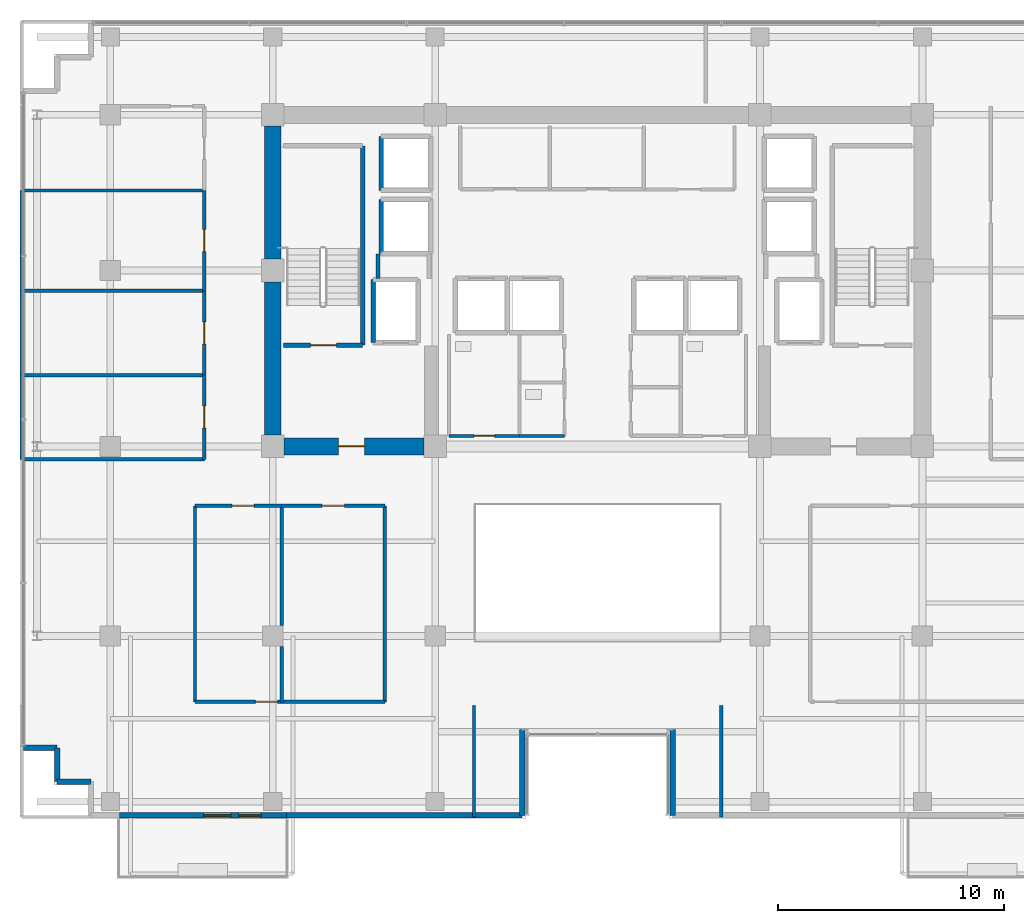
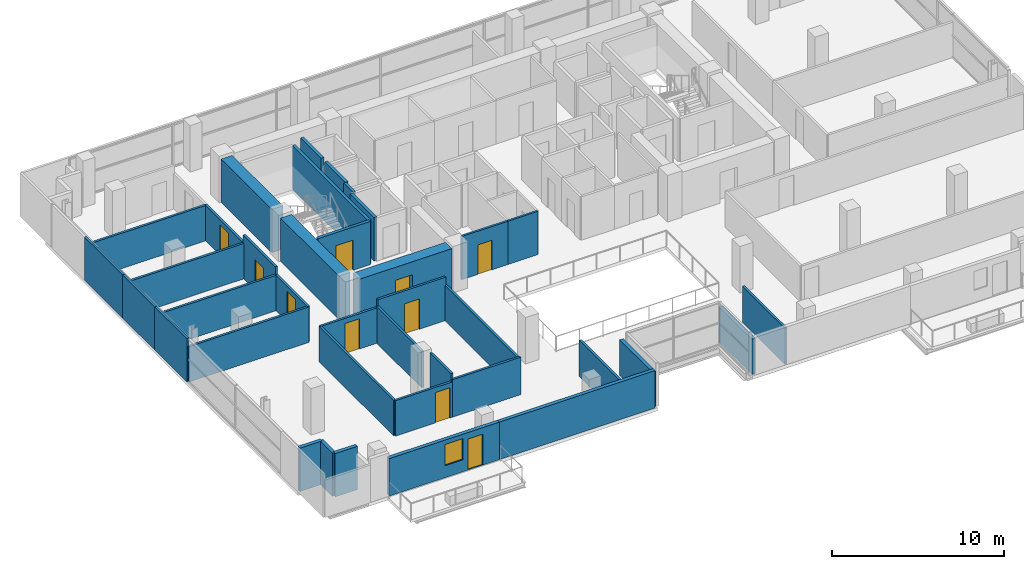
# One storey, part 17 of 24: 38 walls, 10 doors, 1 window, 11 openings.
"""IFC4 building model written with IfcOpenShell, lengths in metres."""

from ifc_helpers import new_model, si_unit, direction, frame, frame_2d, origin, place, context, subcontext, project, spatial, rectangle, extrude, source, transform, mapped, material, layer, layer_set, type_object, element, fill, save


model = new_model("IFC4")

# Units and contexts
model_context = context("Model", 3, precision=1e-05, world=origin(), true_north=direction((0.0, 1.0)))
body_context = subcontext(model_context, "Body", "Model", "MODEL_VIEW")
ifc_project = project(units=[si_unit("LENGTHUNIT", "METRE"), si_unit("AREAUNIT", "SQUARE_METRE"), si_unit("VOLUMEUNIT", "CUBIC_METRE"), si_unit("PLANEANGLEUNIT", "RADIAN"), si_unit("MASSUNIT", "GRAM", prefix="KILO")], contexts=[model_context])

# Site, building, storey
site_placement = place(None, origin())
site = spatial("IfcSite", under=ifc_project, at=site_placement, CompositionType="ELEMENT")
building_placement = place(site_placement, origin())
building = spatial("IfcBuilding", under=site, at=building_placement, Name="Zarnakvel Exchange Tower", CompositionType="ELEMENT")
storey_placement = place(building_placement, frame((0.0, 0.0, 119.800048828125)))
storey = spatial("IfcBuildingStorey", under=building, at=storey_placement, Name="L33", CompositionType="ELEMENT", Elevation=119.800048828125)

# Walls
ifc_material_1 = material(Name="Concrete C60/75", Category="concrete")
ifc_layer_1 = layer(ifc_material_1, 0.75)
ifc_layer_set_1 = layer_set([ifc_layer_1], Name="Concrete C60/75")
wall_type_1 = type_object("IfcWallType", Name="CW-C3", PredefinedType="SHEAR", material=ifc_layer_set_1)
wall_1_placement = place(storey_placement, frame((-14.39990234375, -0.699951171875, 0.0), z_axis=(0.0, 0.0, 1.0), x_axis=(0.0, 1.0, 0.0)))
element("IfcWall", 1, at=wall_1_placement, inside=storey, type_object=wall_type_1, Name="L33 Rear Core Shear Wall W1 (CW-C3)", PredefinedType="SHEAR", context=body_context, shape_type="SweptSolid", body=[
    extrude(rectangle(XDim=6.800048828125, YDim=0.75, at=frame_2d((3.39990234375, 0.0))), origin(), (0.0, 0.0, 1.0), 3.074951171875),
])
wall_2_placement = place(storey_placement, frame((-14.39990234375, 7.10009765625, 0.0), z_axis=(0.0, 0.0, 1.0), x_axis=(0.0, 1.0, 0.0)))
element("IfcWall", 2, at=wall_2_placement, inside=storey, type_object=wall_type_1, Name="L33 Rear Core Shear Wall W2 (CW-C3)", PredefinedType="SHEAR", context=body_context, shape_type="SweptSolid", body=[
    extrude(rectangle(XDim=5.89990234375, YDim=0.75, at=frame_2d((2.949951171875, 0.0))), origin(), (0.0, 0.0, 1.0), 3.074951171875),
])

# Wall, opening, door
wall_3_placement = place(storey_placement, frame((-7.699951171875, -1.199951171875, 0.0), z_axis=(0.0, 0.0, 1.0), x_axis=(-1.0, 0.0, 0.0)))
wall_3 = element("IfcWall", 3, at=wall_3_placement, inside=storey, type_object=wall_type_1, Name="L33 Rear Core Shear Wall SW (CW-C3)", PredefinedType="SHEAR", context=body_context, shape_type="SweptSolid", body=[
    extrude(rectangle(XDim=6.199951171875, YDim=0.75, at=frame_2d((3.10009765625, 0.0))), origin(), (0.0, 0.0, 1.0), 3.074951171875),
])
opening_1_placement = place(wall_3_placement, frame((2.625, 0.0, 0.0)))
opening_1 = element("IfcOpeningElement", 4, at=opening_1_placement, cuts=wall_3, Name="Opening D-L33-03", PredefinedType="OPENING", context=body_context, shape_type="SweptSolid", body=[
    extrude(rectangle(XDim=1.14990234375, YDim=2.14990234375, at=frame_2d((0.574951171875, 1.074951171875))), frame((0.0, 0.385009765625, 0.0), z_axis=(0.0, -1.0, 0.0), x_axis=(1.0, 0.0, 0.0)), (0.0, 0.0, 1.0), 0.77001953125),
])
ifc_material_2 = material(Name="Painted Galvanised Steel S355", Category="steel")
door_type_1 = type_object("IfcDoorType", Name="DT-04", OperationType="NOTDEFINED", PredefinedType="DOOR", material=ifc_material_2)
shared_shape_1 = source(origin(), body_context, "Body", "SweptSolid", [
    extrude(rectangle(XDim=1.14990234375, YDim=2.14990234375, at=frame_2d((0.574951171875, 1.074951171875))), frame((0.0, 0.02490234375, 0.0), z_axis=(0.0, -1.0, 0.0), x_axis=(1.0, 0.0, 0.0)), (0.0, 0.0, 1.0), 0.050048828125),
])
door_1_placement = place(opening_1_placement, origin())
door_1 = element("IfcDoor", 5, at=door_1_placement, inside=storey, type_object=door_type_1, Name="L33 Firefighting Lobby West Door D-L33-03", OperationType="SINGLE_SWING_LEFT", OverallHeight=2.14990234375, OverallWidth=1.14990234375, PredefinedType="DOOR", context=body_context, shape_type="MappedRepresentation", body=[
    mapped(shared_shape_1, transform((0.0, 0.0, 0.0), x_axis=(1.0, 0.0, 0.0), y_axis=(0.0, 1.0, 0.0), z_axis=(0.0, 0.0, 1.0), scale=1.0)),
])
fill(opening_1, door_1)

# Wall, openings, door, window
ifc_material_3 = material(Name="Precast concrete C40/50", Category="concrete")
ifc_layer_2 = layer(ifc_material_3, 0.239990234375)
ifc_layer_set_2 = layer_set([ifc_layer_2], Name="Precast concrete C40/50")
wall_type_2 = type_object("IfcWallType", Name="EW-02", PredefinedType="SOLIDWALL", material=ifc_layer_set_2)
wall_4_placement = place(storey_placement, frame((-13.800048828125, -17.56005859375, 0.0), z_axis=(0.0, 0.0, 1.0), x_axis=(-1.0, 0.0, 0.0)))
wall_4 = element("IfcWall", 6, at=wall_4_placement, inside=storey, type_object=wall_type_2, Name="L33 Exterior Precast Spandrel Wall EW-BAL-L33-SW (EW-02)", PredefinedType="SOLIDWALL", context=body_context, shape_type="SweptSolid", body=[
    extrude(rectangle(XDim=7.39990234375, YDim=0.239990234375, at=frame_2d((3.699951171875, 0.0))), origin(), (0.0, 0.0, 1.0), 2.6650390625),
])
opening_2_placement = place(wall_4_placement, frame((1.110107421875, 0.0, 0.0)))
opening_2 = element("IfcOpeningElement", 7, at=opening_2_placement, cuts=wall_4, Name="Opening BD-L33-01", PredefinedType="OPENING", context=body_context, shape_type="SweptSolid", body=[
    extrude(rectangle(XDim=1.0, YDim=2.199951171875, at=frame_2d((0.5, 1.10009765625))), frame((0.0, 0.1298828125, 0.0), z_axis=(0.0, -1.0, 0.0), x_axis=(1.0, 0.0, 0.0)), (0.0, 0.0, 1.0), 0.260009765625),
])
opening_3_placement = place(wall_4_placement, frame((2.4599609375, 0.0, 0.85009765625)))
opening_3 = element("IfcOpeningElement", 8, at=opening_3_placement, cuts=wall_4, Name="Opening WN-04", PredefinedType="OPENING", context=body_context, shape_type="SweptSolid", body=[
    extrude(rectangle(XDim=1.199951171875, YDim=1.5, at=frame_2d((0.60009765625, 0.75))), frame((0.0, 0.1298828125, 0.0), z_axis=(0.0, -1.0, 0.0), x_axis=(1.0, 0.0, 0.0)), (0.0, 0.0, 1.0), 0.260009765625),
])
ifc_material_4 = material(Name="Architectural Bronze Anodised Aluminium", Category="aluminium")
door_type_2 = type_object("IfcDoorType", Name="DT-09", OperationType="NOTDEFINED", PredefinedType="DOOR", material=ifc_material_4)
shared_shape_2 = source(origin(), body_context, "Body", "SweptSolid", [
    extrude(rectangle(XDim=1.0, YDim=2.199951171875, at=frame_2d((0.5, 1.10009765625))), frame((0.0, 0.02490234375, 0.0), z_axis=(0.0, -1.0, 0.0), x_axis=(1.0, 0.0, 0.0)), (0.0, 0.0, 1.0), 0.050048828125),
])
door_2_placement = place(opening_2_placement, origin())
door_2 = element("IfcDoor", 9, at=door_2_placement, inside=storey, type_object=door_type_2, Name="L33 Planted Loggia Balcony Door BD-L33-01", OperationType="SINGLE_SWING_LEFT", OverallHeight=2.199951171875, OverallWidth=1.0, PredefinedType="DOOR", context=body_context, shape_type="MappedRepresentation", body=[
    mapped(shared_shape_2, transform((0.0, 0.0, 0.0), x_axis=(1.0, 0.0, 0.0), y_axis=(0.0, 1.0, 0.0), z_axis=(0.0, 0.0, 1.0), scale=1.0)),
])
fill(opening_2, door_2)
ifc_material_5 = material(Name="Double Low-E Laminated Vision Glass", Category="glass")
window_type = type_object("IfcWindowType", Name="WN-04", PartitioningType="SINGLE_PANEL", PredefinedType="WINDOW", material=ifc_material_5)
shared_shape_3 = source(origin(), body_context, "Body", "SweptSolid", [
    extrude(rectangle(XDim=1.199951171875, YDim=1.5, at=frame_2d((0.60009765625, 0.75))), frame((0.0, 0.030029296875, 0.0), z_axis=(0.0, -1.0, 0.0), x_axis=(1.0, 0.0, 0.0)), (0.0, 0.0, 1.0), 0.06005859375),
])
window_placement = place(opening_3_placement, origin())
window = element("IfcWindow", 10, at=window_placement, inside=storey, type_object=window_type, Name="L33 Loggia Daylight Window (WN-04)", OverallHeight=1.5, OverallWidth=1.199951171875, PartitioningType="SINGLE_PANEL", PredefinedType="WINDOW", context=body_context, shape_type="MappedRepresentation", body=[
    mapped(shared_shape_3, transform((0.0, 0.0, 0.0), x_axis=(1.0, 0.0, 0.0), y_axis=(0.0, 1.0, 0.0), z_axis=(0.0, 0.0, 1.0), scale=1.0)),
])
fill(opening_3, window)

# Walls
for number, where, z_axis, x_axis, name in (
    (11, (3.340087890625, -13.760009765625, 0.0), (0.0, 0.0, 1.0), (0.0, -1.0, 0.0), "L33 Exterior Precast Spandrel Wall EWC-L33-17 (EW-02)"),
    (12, (-3.340087890625, -17.56005859375, 0.0), (0.0, 0.0, 1.0), (0.0, 1.0, 0.0), "L33 Exterior Precast Spandrel Wall EWC-L33-20 (EW-02)"),
):
    element("IfcWall", number, at=place(storey_placement, frame(where, z_axis=z_axis, x_axis=x_axis)), inside=storey, type_object=wall_type_2, Name=name, PredefinedType="SOLIDWALL", context=body_context, shape_type="SweptSolid", body=[
        extrude(rectangle(XDim=3.800048828125, YDim=0.239990234375, at=frame_2d((1.89990234375, 0.0))), origin(), (0.0, 0.0, 1.0), 2.514892578125),
    ])
wall_5_placement = place(storey_placement, frame((-13.800048828125, -17.56005859375, 0.0), z_axis=(0.0, 0.0, 1.0), x_axis=(1.0, 0.0, 0.0)))
element("IfcWall", 13, at=wall_5_placement, inside=storey, type_object=wall_type_2, Name="L33 Exterior Precast Spandrel Wall EWC-L33-21 (EW-02)", PredefinedType="SOLIDWALL", context=body_context, shape_type="SweptSolid", body=[
    extrude(rectangle(XDim=10.4599609375, YDim=0.239990234375, at=frame_2d((5.22998046875, 0.0))), origin(), (0.0, 0.0, 1.0), 2.6650390625),
])
for number, where, z_axis, x_axis, name in (
    (14, (-23.9599609375, -16.06005859375, 0.0), (0.0, 0.0, 1.0), (1.0, 0.0, 0.0), "L33 Exterior Precast Spandrel Wall EWC-L33-24 (EW-02)"),
    (15, (-23.9599609375, -14.56005859375, 0.0), (0.0, 0.0, 1.0), (0.0, -1.0, 0.0), "L33 Exterior Precast Spandrel Wall EWC-L33-25 (EW-02)"),
    (16, (-25.4599609375, -14.56005859375, 0.0), (0.0, 0.0, 1.0), (1.0, 0.0, 0.0), "L33 Exterior Precast Spandrel Wall EWC-L33-26 (EW-02)"),
):
    element("IfcWall", number, at=place(storey_placement, frame(where, z_axis=z_axis, x_axis=x_axis)), inside=storey, type_object=wall_type_2, Name=name, PredefinedType="SOLIDWALL", context=body_context, shape_type="SweptSolid", body=[
        extrude(rectangle(XDim=1.5, YDim=0.239990234375, at=frame_2d((0.75, 0.0))), origin(), (0.0, 0.0, 1.0), 3.074951171875),
    ])

# Wall, opening, door
ifc_material_6 = material(Name="Fire-Rated Gypsum Stud Partition", Category="gypsum")
ifc_layer_3 = layer(ifc_material_6, 0.14990234375)
ifc_layer_set_3 = layer_set([ifc_layer_3], Name="Fire-Rated Gypsum Stud Partition")
wall_type_3 = type_object("IfcWallType", Name="PT-01", PredefinedType="PARTITIONING", material=ifc_layer_set_3)
wall_6_placement = place(storey_placement, frame((-14.007080078125, -12.52001953125, 0.0), z_axis=(0.0, 0.0, 1.0), x_axis=(-1.0, 0.0, 0.0)))
wall_6 = element("IfcWall", 17, at=wall_6_placement, inside=storey, type_object=wall_type_3, Name="L33 Partition Wall PWALL-L33-033 (PT-01)", PredefinedType="PARTITIONING", context=body_context, shape_type="SweptSolid", body=[
    extrude(rectangle(XDim=3.8408203125, YDim=0.14990234375, at=frame_2d((1.92041015625, 0.0))), origin(), (0.0, 0.0, 1.0), 2.514892578125),
])
opening_4_placement = place(wall_6_placement, frame((0.179931640625, 0.0, 0.0)))
opening_4 = element("IfcOpeningElement", 18, at=opening_4_placement, cuts=wall_6, Name="Opening D-L33-16", PredefinedType="OPENING", context=body_context, shape_type="SweptSolid", body=[
    extrude(rectangle(XDim=0.97998046875, YDim=2.14990234375, at=frame_2d((0.489990234375, 1.074951171875))), frame((0.0, 0.0849609375, 0.0), z_axis=(0.0, -1.0, 0.0), x_axis=(1.0, 0.0, 0.0)), (0.0, 0.0, 1.0), 0.169921875),
])
ifc_material_7 = material(Name="Timber Acoustic Veneer", Category="wood")
door_type_3 = type_object("IfcDoorType", Name="DT-05", OperationType="NOTDEFINED", PredefinedType="DOOR", material=ifc_material_7)
shared_shape_4 = source(origin(), body_context, "Body", "SweptSolid", [
    extrude(rectangle(XDim=0.97998046875, YDim=2.14990234375, at=frame_2d((0.489990234375, 1.074951171875))), frame((0.0, 0.02490234375, 0.0), z_axis=(0.0, -1.0, 0.0), x_axis=(1.0, 0.0, 0.0)), (0.0, 0.0, 1.0), 0.050048828125),
])
door_3_placement = place(opening_4_placement, origin())
door_3 = element("IfcDoor", 19, at=door_3_placement, inside=storey, type_object=door_type_3, Name="L33 Commodities Dealing Room Door D-L33-16", OperationType="SINGLE_SWING_RIGHT", OverallHeight=2.14990234375, OverallWidth=0.97998046875, PredefinedType="DOOR", context=body_context, shape_type="MappedRepresentation", body=[
    mapped(shared_shape_4, transform((0.0, 0.0, 0.0), x_axis=(1.0, 0.0, 0.0), y_axis=(0.0, 1.0, 0.0), z_axis=(0.0, 0.0, 1.0), scale=1.0)),
])
fill(opening_4, door_3)

wall_7_placement = place(storey_placement, frame((-17.847900390625, -3.830078125, 0.0), z_axis=(0.0, 0.0, 1.0), x_axis=(1.0, 0.0, 0.0)))
wall_7 = element("IfcWall", 20, at=wall_7_placement, inside=storey, type_object=wall_type_3, Name="L33 Partition Wall PWALL-L33-034 (PT-01)", PredefinedType="PARTITIONING", context=body_context, shape_type="SweptSolid", body=[
    extrude(rectangle(XDim=3.8408203125, YDim=0.14990234375, at=frame_2d((1.92041015625, 0.0))), origin(), (0.0, 0.0, 1.0), 2.514892578125),
])
opening_5_placement = place(wall_7_placement, frame((1.638916015625, 0.0, 0.0)))
opening_5 = element("IfcOpeningElement", 21, at=opening_5_placement, cuts=wall_7, Name="Opening D-L33-14", PredefinedType="OPENING", context=body_context, shape_type="SweptSolid", body=[
    extrude(rectangle(XDim=0.97998046875, YDim=2.14990234375, at=frame_2d((0.489990234375, 1.074951171875))), frame((0.0, 0.0849609375, 0.0), z_axis=(0.0, -1.0, 0.0), x_axis=(1.0, 0.0, 0.0)), (0.0, 0.0, 1.0), 0.169921875),
])
door_4_placement = place(opening_5_placement, origin())
door_4 = element("IfcDoor", 22, at=door_4_placement, inside=storey, type_object=door_type_3, Name="L33 Seminar Room Door D-L33-14", OperationType="SINGLE_SWING_RIGHT", OverallHeight=2.14990234375, OverallWidth=0.97998046875, PredefinedType="DOOR", context=body_context, shape_type="MappedRepresentation", body=[
    mapped(shared_shape_4, transform((0.0, 0.0, 0.0), x_axis=(1.0, 0.0, 0.0), y_axis=(0.0, 1.0, 0.0), z_axis=(0.0, 0.0, 1.0), scale=1.0)),
])
fill(opening_5, door_4)

# Walls
wall_8_placement = place(storey_placement, frame((-17.847900390625, -12.52001953125, 0.0), z_axis=(0.0, 0.0, 1.0), x_axis=(0.0, 1.0, 0.0)))
element("IfcWall", 23, at=wall_8_placement, inside=storey, type_object=wall_type_3, Name="L33 Partition Wall PWALL-L33-035 (PT-01)", PredefinedType="PARTITIONING", context=body_context, shape_type="SweptSolid", body=[
    extrude(rectangle(XDim=8.68994140625, YDim=0.14990234375, at=frame_2d((4.344970703125, 0.0))), origin(), (0.0, 0.0, 1.0), 2.514892578125),
])
wall_9_placement = place(storey_placement, frame((-14.007080078125, -3.830078125, 0.0), z_axis=(0.0, 0.0, 1.0), x_axis=(0.0, -1.0, 0.0)))
element("IfcWall", 24, at=wall_9_placement, inside=storey, type_object=wall_type_3, Name="L33 Partition Wall PWALL-L33-036 (PT-01)", PredefinedType="PARTITIONING", context=body_context, shape_type="SweptSolid", body=[
    extrude(rectangle(XDim=5.2998046875, YDim=0.14990234375, at=frame_2d((2.64990234375, 0.0))), origin(), (0.0, 0.0, 1.0), 2.614990234375),
])
wall_10_placement = place(storey_placement, frame((-9.429931640625, -12.52001953125, 0.0), z_axis=(0.0, 0.0, 1.0), x_axis=(-1.0, 0.0, 0.0)))
element("IfcWall", 25, at=wall_10_placement, inside=storey, type_object=wall_type_3, Name="L33 Partition Wall PWALL-L33-037 (PT-01)", PredefinedType="PARTITIONING", context=body_context, shape_type="SweptSolid", body=[
    extrude(rectangle(XDim=4.5771484375, YDim=0.14990234375, at=frame_2d((2.28857421875, 0.0))), origin(), (0.0, 0.0, 1.0), 2.6650390625),
])

# Wall, opening, door
wall_11_placement = place(storey_placement, frame((-14.007080078125, -3.830078125, 0.0), z_axis=(0.0, 0.0, 1.0), x_axis=(1.0, 0.0, 0.0)))
wall_11 = element("IfcWall", 26, at=wall_11_placement, inside=storey, type_object=wall_type_3, Name="L33 Partition Wall PWALL-L33-038 (PT-01)", PredefinedType="PARTITIONING", context=body_context, shape_type="SweptSolid", body=[
    extrude(rectangle(XDim=4.5771484375, YDim=0.14990234375, at=frame_2d((2.28857421875, 0.0))), origin(), (0.0, 0.0, 1.0), 3.074951171875),
])
opening_6_placement = place(wall_11_placement, frame((1.799072265625, 0.0, 0.0)))
opening_6 = element("IfcOpeningElement", 27, at=opening_6_placement, cuts=wall_11, Name="Opening D-L33-15", PredefinedType="OPENING", context=body_context, shape_type="SweptSolid", body=[
    extrude(rectangle(XDim=0.97998046875, YDim=2.14990234375, at=frame_2d((0.489990234375, 1.074951171875))), frame((0.0, 0.0849609375, 0.0), z_axis=(0.0, -1.0, 0.0), x_axis=(1.0, 0.0, 0.0)), (0.0, 0.0, 1.0), 0.169921875),
])
door_5_placement = place(opening_6_placement, origin())
door_5 = element("IfcDoor", 28, at=door_5_placement, inside=storey, type_object=door_type_3, Name="L33 Boardroom Door D-L33-15", OperationType="SINGLE_SWING_LEFT", OverallHeight=2.14990234375, OverallWidth=0.97998046875, PredefinedType="DOOR", context=body_context, shape_type="MappedRepresentation", body=[
    mapped(shared_shape_4, transform((0.0, 0.0, 0.0), x_axis=(1.0, 0.0, 0.0), y_axis=(0.0, 1.0, 0.0), z_axis=(0.0, 0.0, 1.0), scale=1.0)),
])
fill(opening_6, door_5)

# Walls
wall_12_placement = place(storey_placement, frame((-14.007080078125, -12.52001953125, 0.0), z_axis=(0.0, 0.0, 1.0), x_axis=(0.0, 1.0, 0.0)))
element("IfcWall", 29, at=wall_12_placement, inside=storey, type_object=wall_type_3, Name="L33 Partition Wall PWALL-L33-039 (PT-01)", PredefinedType="PARTITIONING", context=body_context, shape_type="SweptSolid", body=[
    extrude(rectangle(XDim=2.449951171875, YDim=0.14990234375, at=frame_2d((1.22509765625, 0.0))), origin(), (0.0, 0.0, 1.0), 3.074951171875),
])
wall_13_placement = place(storey_placement, frame((-9.429931640625, -3.830078125, 0.0), z_axis=(0.0, 0.0, 1.0), x_axis=(0.0, -1.0, 0.0)))
element("IfcWall", 30, at=wall_13_placement, inside=storey, type_object=wall_type_3, Name="L33 Partition Wall PWALL-L33-040 (PT-01)", PredefinedType="PARTITIONING", context=body_context, shape_type="SweptSolid", body=[
    extrude(rectangle(XDim=8.68994140625, YDim=0.14990234375, at=frame_2d((4.344970703125, 0.0))), origin(), (0.0, 0.0, 1.0), 2.514892578125),
])
for number, where, z_axis, x_axis, name in (
    (31, (-5.47998046875, -12.679931640625, 0.0), (0.0, 0.0, 1.0), (0.0, -1.0, 0.0), "L33 Partition Wall PWALL-L33-043 (PT-01)"),
    (32, (5.47998046875, -17.6298828125, 0.0), (0.0, 0.0, 1.0), (0.0, 1.0, 0.0), "L33 Partition Wall PWALL-L33-049 (PT-01)"),
):
    element("IfcWall", number, at=place(storey_placement, frame(where, z_axis=z_axis, x_axis=x_axis)), inside=storey, type_object=wall_type_3, Name=name, PredefinedType="PARTITIONING", context=body_context, shape_type="SweptSolid", body=[
        extrude(rectangle(XDim=4.949951171875, YDim=0.14990234375, at=frame_2d((2.47509765625, 0.0))), origin(), (0.0, 0.0, 1.0), 2.56494140625),
    ])
for number, where, z_axis, x_axis, name in (
    (33, (-17.429931640625, -1.77001953125, 0.0), (0.0, 0.0, 1.0), (-1.0, 0.0, 0.0), "L33 Partition Wall PWALL-L33-051 (PT-01)"),
    (34, (-25.530029296875, 1.9638671875, 0.0), (0.0, 0.0, 1.0), (1.0, 0.0, 0.0), "L33 Partition Wall PWALL-L33-052 (PT-01)"),
):
    element("IfcWall", number, at=place(storey_placement, frame(where, z_axis=z_axis, x_axis=x_axis)), inside=storey, type_object=wall_type_3, Name=name, PredefinedType="PARTITIONING", context=body_context, shape_type="SweptSolid", body=[
        extrude(rectangle(XDim=8.10009765625, YDim=0.14990234375, at=frame_2d((4.050048828125, 0.0))), origin(), (0.0, 0.0, 1.0), 2.514892578125),
    ])
wall_14_placement = place(storey_placement, frame((-25.530029296875, -1.77001953125, 0.0), z_axis=(0.0, 0.0, 1.0), x_axis=(0.0, 1.0, 0.0)))
element("IfcWall", 35, at=wall_14_placement, inside=storey, type_object=wall_type_3, Name="L33 Partition Wall PWALL-L33-053 (PT-01)", PredefinedType="PARTITIONING", context=body_context, shape_type="SweptSolid", body=[
    extrude(rectangle(XDim=3.73388671875, YDim=0.14990234375, at=frame_2d((1.866943359375, 0.0))), origin(), (0.0, 0.0, 1.0), 3.074951171875),
])

# Wall, opening, door
wall_15_placement = place(storey_placement, frame((-17.429931640625, 1.9638671875, 0.0), z_axis=(0.0, 0.0, 1.0), x_axis=(0.0, -1.0, 0.0)))
wall_15 = element("IfcWall", 36, at=wall_15_placement, inside=storey, type_object=wall_type_3, Name="L33 Partition Wall PWALL-L33-054 (PT-01)", PredefinedType="PARTITIONING", context=body_context, shape_type="SweptSolid", body=[
    extrude(rectangle(XDim=3.73388671875, YDim=0.14990234375, at=frame_2d((1.866943359375, 0.0))), origin(), (0.0, 0.0, 1.0), 2.514892578125),
])
opening_7_placement = place(wall_15_placement, frame((1.376708984375, 0.0, 0.0)))
opening_7 = element("IfcOpeningElement", 37, at=opening_7_placement, cuts=wall_15, Name="Opening D-L33-19", PredefinedType="OPENING", context=body_context, shape_type="SweptSolid", body=[
    extrude(rectangle(XDim=0.97998046875, YDim=2.14990234375, at=frame_2d((0.489990234375, 1.074951171875))), frame((0.0, 0.0849609375, 0.0), z_axis=(0.0, -1.0, 0.0), x_axis=(1.0, 0.0, 0.0)), (0.0, 0.0, 1.0), 0.169921875),
])
door_6_placement = place(opening_7_placement, origin())
door_6 = element("IfcDoor", 38, at=door_6_placement, inside=storey, type_object=door_type_3, Name="L33 Boardroom Door D-L33-19", OperationType="SINGLE_SWING_LEFT", OverallHeight=2.14990234375, OverallWidth=0.97998046875, PredefinedType="DOOR", context=body_context, shape_type="MappedRepresentation", body=[
    mapped(shared_shape_4, transform((0.0, 0.0, 0.0), x_axis=(1.0, 0.0, 0.0), y_axis=(0.0, 1.0, 0.0), z_axis=(0.0, 0.0, 1.0), scale=1.0)),
])
fill(opening_7, door_6)

# Walls
wall_16_placement = place(storey_placement, frame((-25.530029296875, 5.697509765625, 0.0), z_axis=(0.0, 0.0, 1.0), x_axis=(1.0, 0.0, 0.0)))
element("IfcWall", 39, at=wall_16_placement, inside=storey, type_object=wall_type_3, Name="L33 Partition Wall PWALL-L33-055 (PT-01)", PredefinedType="PARTITIONING", context=body_context, shape_type="SweptSolid", body=[
    extrude(rectangle(XDim=8.10009765625, YDim=0.14990234375, at=frame_2d((4.050048828125, 0.0))), origin(), (0.0, 0.0, 1.0), 2.514892578125),
])
wall_17_placement = place(storey_placement, frame((-25.530029296875, 1.9638671875, 0.0), z_axis=(0.0, 0.0, 1.0), x_axis=(0.0, 1.0, 0.0)))
element("IfcWall", 40, at=wall_17_placement, inside=storey, type_object=wall_type_3, Name="L33 Partition Wall PWALL-L33-056 (PT-01)", PredefinedType="PARTITIONING", context=body_context, shape_type="SweptSolid", body=[
    extrude(rectangle(XDim=3.733642578125, YDim=0.14990234375, at=frame_2d((1.86669921875, 0.0))), origin(), (0.0, 0.0, 1.0), 3.074951171875),
])

# Wall, opening, door
wall_18_placement = place(storey_placement, frame((-17.429931640625, 5.697509765625, 0.0), z_axis=(0.0, 0.0, 1.0), x_axis=(0.0, -1.0, 0.0)))
wall_18 = element("IfcWall", 41, at=wall_18_placement, inside=storey, type_object=wall_type_3, Name="L33 Partition Wall PWALL-L33-057 (PT-01)", PredefinedType="PARTITIONING", context=body_context, shape_type="SweptSolid", body=[
    extrude(rectangle(XDim=3.733642578125, YDim=0.14990234375, at=frame_2d((1.86669921875, 0.0))), origin(), (0.0, 0.0, 1.0), 3.074951171875),
])
opening_8_placement = place(wall_18_placement, frame((1.376708984375, 0.0, 0.0)))
opening_8 = element("IfcOpeningElement", 42, at=opening_8_placement, cuts=wall_18, Name="Opening D-L33-20", PredefinedType="OPENING", context=body_context, shape_type="SweptSolid", body=[
    extrude(rectangle(XDim=0.97998046875, YDim=2.14990234375, at=frame_2d((0.489990234375, 1.074951171875))), frame((0.0, 0.0849609375, 0.0), z_axis=(0.0, -1.0, 0.0), x_axis=(1.0, 0.0, 0.0)), (0.0, 0.0, 1.0), 0.169921875),
])
door_7_placement = place(opening_8_placement, origin())
door_7 = element("IfcDoor", 43, at=door_7_placement, inside=storey, type_object=door_type_3, Name="L33 Tea Pantry Door D-L33-20", OperationType="SINGLE_SWING_RIGHT", OverallHeight=2.14990234375, OverallWidth=0.97998046875, PredefinedType="DOOR", context=body_context, shape_type="MappedRepresentation", body=[
    mapped(shared_shape_4, transform((0.0, 0.0, 0.0), x_axis=(1.0, 0.0, 0.0), y_axis=(0.0, 1.0, 0.0), z_axis=(0.0, 0.0, 1.0), scale=1.0)),
])
fill(opening_8, door_7)

# Walls
wall_19_placement = place(storey_placement, frame((-25.530029296875, 10.146240234375, 0.0), z_axis=(0.0, 0.0, 1.0), x_axis=(1.0, 0.0, 0.0)))
element("IfcWall", 44, at=wall_19_placement, inside=storey, type_object=wall_type_3, Name="L33 Partition Wall PWALL-L33-058 (PT-01)", PredefinedType="PARTITIONING", context=body_context, shape_type="SweptSolid", body=[
    extrude(rectangle(XDim=8.10009765625, YDim=0.14990234375, at=frame_2d((4.050048828125, 0.0))), origin(), (0.0, 0.0, 1.0), 2.514892578125),
])
wall_20_placement = place(storey_placement, frame((-25.530029296875, 5.697509765625, 0.0), z_axis=(0.0, 0.0, 1.0), x_axis=(0.0, 1.0, 0.0)))
element("IfcWall", 45, at=wall_20_placement, inside=storey, type_object=wall_type_3, Name="L33 Partition Wall PWALL-L33-059 (PT-01)", PredefinedType="PARTITIONING", context=body_context, shape_type="SweptSolid", body=[
    extrude(rectangle(XDim=4.44873046875, YDim=0.14990234375, at=frame_2d((2.224365234375, 0.0))), origin(), (0.0, 0.0, 1.0), 3.074951171875),
])

# Wall, opening, door
wall_21_placement = place(storey_placement, frame((-17.429931640625, 10.146240234375, 0.0), z_axis=(0.0, 0.0, 1.0), x_axis=(0.0, -1.0, 0.0)))
wall_21 = element("IfcWall", 46, at=wall_21_placement, inside=storey, type_object=wall_type_3, Name="L33 Partition Wall PWALL-L33-060 (PT-01)", PredefinedType="PARTITIONING", context=body_context, shape_type="SweptSolid", body=[
    extrude(rectangle(XDim=4.44873046875, YDim=0.14990234375, at=frame_2d((2.224365234375, 0.0))), origin(), (0.0, 0.0, 1.0), 2.514892578125),
])
opening_9_placement = place(wall_21_placement, frame((1.734130859375, 0.0, 0.0)))
opening_9 = element("IfcOpeningElement", 47, at=opening_9_placement, cuts=wall_21, Name="Opening D-L33-21", PredefinedType="OPENING", context=body_context, shape_type="SweptSolid", body=[
    extrude(rectangle(XDim=0.97998046875, YDim=2.14990234375, at=frame_2d((0.489990234375, 1.074951171875))), frame((0.0, 0.0849609375, 0.0), z_axis=(0.0, -1.0, 0.0), x_axis=(1.0, 0.0, 0.0)), (0.0, 0.0, 1.0), 0.169921875),
])
door_8_placement = place(opening_9_placement, origin())
door_8 = element("IfcDoor", 48, at=door_8_placement, inside=storey, type_object=door_type_3, Name="L33 Fintech Workspace Door D-L33-21", OperationType="SINGLE_SWING_LEFT", OverallHeight=2.14990234375, OverallWidth=0.97998046875, PredefinedType="DOOR", context=body_context, shape_type="MappedRepresentation", body=[
    mapped(shared_shape_4, transform((0.0, 0.0, 0.0), x_axis=(1.0, 0.0, 0.0), y_axis=(0.0, 1.0, 0.0), z_axis=(0.0, 0.0, 1.0), scale=1.0)),
])
fill(opening_9, door_8)

# Wall
ifc_layer_4 = layer(ifc_material_6, 0.179931640625)
ifc_layer_set_4 = layer_set([ifc_layer_4], Name="Fire-Rated Gypsum Stud Partition")
wall_type_4 = type_object("IfcWallType", Name="PT-02", PredefinedType="PARTITIONING", material=ifc_layer_set_4)
wall_22_placement = place(storey_placement, frame((-9.72998046875, 6.239990234375, 0.0), z_axis=(0.0, 0.0, 1.0), x_axis=(0.0, 1.0, 0.0)))
element("IfcWall", 49, at=wall_22_placement, inside=storey, type_object=wall_type_4, Name="L33 Partition Wall PWALL-L33-007 (PT-02)", PredefinedType="PARTITIONING", context=body_context, shape_type="SweptSolid", body=[
    extrude(rectangle(XDim=1.090087890625, YDim=0.179931640625, at=frame_2d((0.544921875, 0.0))), origin(), (0.0, 0.0, 1.0), 3.074951171875),
])

# Wall, opening, door
ifc_material_8 = material(Name="Moisture-Resistant Tile-Faced Partition", Category="gypsum")
ifc_layer_5 = layer(ifc_material_8, 0.135009765625)
ifc_layer_set_5 = layer_set([ifc_layer_5], Name="Moisture-Resistant Tile-Faced Partition")
wall_type_5 = type_object("IfcWallType", Name="PT-03", PredefinedType="PARTITIONING", material=ifc_layer_set_5)
wall_23_placement = place(storey_placement, frame((-3.469970703125, -0.72998046875, 0.0), z_axis=(0.0, 0.0, 1.0), x_axis=(-1.0, 0.0, 0.0)))
wall_23 = element("IfcWall", 50, at=wall_23_placement, inside=storey, type_object=wall_type_5, Name="L33 Partition Wall PWALL-L33-018 (PT-03)", PredefinedType="PARTITIONING", context=body_context, shape_type="SweptSolid", body=[
    extrude(rectangle(XDim=3.110107421875, YDim=0.135009765625, at=frame_2d((1.55517578125, 0.0))), origin(), (0.0, 0.0, 1.0), 3.074951171875),
])
opening_10_placement = place(wall_23_placement, frame((1.090087890625, 0.0, 0.0)))
opening_10 = element("IfcOpeningElement", 51, at=opening_10_placement, cuts=wall_23, Name="Opening D-L33-08", PredefinedType="OPENING", context=body_context, shape_type="SweptSolid", body=[
    extrude(rectangle(XDim=0.919921875, YDim=2.10009765625, at=frame_2d((0.4599609375, 1.050048828125))), frame((0.0, 0.077392578125, 0.0), z_axis=(0.0, -1.0, 0.0), x_axis=(1.0, 0.0, 0.0)), (0.0, 0.0, 1.0), 0.155029296875),
])
ifc_material_9 = material(Name="Moisture-Resistant Laminate Timber", Category="wood")
door_type_4 = type_object("IfcDoorType", Name="DT-07", OperationType="NOTDEFINED", PredefinedType="DOOR", material=ifc_material_9)
shared_shape_5 = source(origin(), body_context, "Body", "SweptSolid", [
    extrude(rectangle(XDim=0.919921875, YDim=2.10009765625, at=frame_2d((0.4599609375, 1.050048828125))), frame((0.0, 0.02490234375, 0.0), z_axis=(0.0, -1.0, 0.0), x_axis=(1.0, 0.0, 0.0)), (0.0, 0.0, 1.0), 0.050048828125),
])
door_9_placement = place(opening_10_placement, origin())
door_9 = element("IfcDoor", 52, at=door_9_placement, inside=storey, type_object=door_type_4, Name="L33 Male Toilet Door D-L33-08", OperationType="SINGLE_SWING_RIGHT", OverallHeight=2.10009765625, OverallWidth=0.919921875, PredefinedType="DOOR", context=body_context, shape_type="MappedRepresentation", body=[
    mapped(shared_shape_5, transform((0.0, 0.0, 0.0), x_axis=(1.0, 0.0, 0.0), y_axis=(0.0, 1.0, 0.0), z_axis=(0.0, 0.0, 1.0), scale=1.0)),
])
fill(opening_10, door_9)

# Walls
wall_24_placement = place(storey_placement, frame((-1.469970703125, -0.72998046875, 0.0), z_axis=(0.0, 0.0, 1.0), x_axis=(-1.0, 0.0, 0.0)))
element("IfcWall", 53, at=wall_24_placement, inside=storey, type_object=wall_type_5, Name="L33 Partition Wall PWALL-L33-021 (PT-03)", PredefinedType="PARTITIONING", context=body_context, shape_type="SweptSolid", body=[
    extrude(rectangle(XDim=2.0, YDim=0.135009765625, at=frame_2d((1.0, 0.0))), origin(), (0.0, 0.0, 1.0), 3.074951171875),
])
ifc_material_10 = material(Name="Concrete C40/50", Category="concrete")
ifc_layer_6 = layer(ifc_material_10, 0.199951171875)
ifc_layer_set_6 = layer_set([ifc_layer_6], Name="Concrete C40/50")
wall_type_6 = type_object("IfcWallType", Name="SW-01", PredefinedType="SOLIDWALL", material=ifc_layer_set_6)
wall_25_placement = place(storey_placement, frame((-9.949951171875, 3.39990234375, 0.0), z_axis=(0.0, 0.0, 1.0), x_axis=(0.0, 1.0, 0.0)))
element("IfcWall", 54, at=wall_25_placement, inside=storey, type_object=wall_type_6, Name="L33 FL-01 Hoistway Wall West", PredefinedType="SOLIDWALL", context=body_context, shape_type="SweptSolid", body=[
    extrude(rectangle(XDim=2.800048828125, YDim=0.199951171875, at=frame_2d((1.39990234375, 0.0))), origin(), (0.0, 0.0, 1.0), 3.074951171875),
])
wall_26_placement = place(storey_placement, frame((-9.60009765625, 7.35009765625, 0.0), z_axis=(0.0, 0.0, 1.0), x_axis=(0.0, 1.0, 0.0)))
element("IfcWall", 55, at=wall_26_placement, inside=storey, type_object=wall_type_6, Name="L33 PL-09 Hoistway Wall West", PredefinedType="SOLIDWALL", context=body_context, shape_type="SweptSolid", body=[
    extrude(rectangle(XDim=2.39990234375, YDim=0.199951171875, at=frame_2d((1.199951171875, 0.0))), origin(), (0.0, 0.0, 1.0), 3.074951171875),
])
wall_27_placement = place(storey_placement, frame((-9.60009765625, 10.14990234375, 0.0), z_axis=(0.0, 0.0, 1.0), x_axis=(0.0, 1.0, 0.0)))
element("IfcWall", 56, at=wall_27_placement, inside=storey, type_object=wall_type_6, Name="L33 PL-10 Hoistway Wall West", PredefinedType="SOLIDWALL", context=body_context, shape_type="SweptSolid", body=[
    extrude(rectangle(XDim=2.400146484375, YDim=0.199951171875, at=frame_2d((1.2001953125, 0.0))), origin(), (0.0, 0.0, 1.0), 3.074951171875),
])

# Wall, opening, door
ifc_layer_7 = layer(ifc_material_10, 0.199951171875)
ifc_layer_set_7 = layer_set([ifc_layer_7], Name="Concrete C40/50")
wall_type_7 = type_object("IfcWallType", Name="SW-02", PredefinedType="SOLIDWALL", material=ifc_layer_set_7)
wall_28_placement = place(storey_placement, frame((-10.409912109375, 3.2900390625, 0.0), z_axis=(0.0, 0.0, 1.0), x_axis=(-1.0, 0.0, 0.0)))
wall_28 = element("IfcWall", 57, at=wall_28_placement, inside=storey, type_object=wall_type_7, Name="L33 Stairwell Core Wall PWALL-L33-001 (SW-02)", PredefinedType="SOLIDWALL", context=body_context, shape_type="SweptSolid", body=[
    extrude(rectangle(XDim=3.52001953125, YDim=0.199951171875, at=frame_2d((1.760009765625, 0.0))), origin(), (0.0, 0.0, 1.0), 3.074951171875),
])
opening_11_placement = place(wall_28_placement, frame((1.1650390625, 0.0, 0.0)))
opening_11 = element("IfcOpeningElement", 58, at=opening_11_placement, cuts=wall_28, Name="Opening D-L33-01", PredefinedType="OPENING", context=body_context, shape_type="SweptSolid", body=[
    extrude(rectangle(XDim=1.14990234375, YDim=2.14990234375, at=frame_2d((0.574951171875, 1.074951171875))), frame((0.0, 0.10986328125, 0.0), z_axis=(0.0, -1.0, 0.0), x_axis=(1.0, 0.0, 0.0)), (0.0, 0.0, 1.0), 0.219970703125),
])
door_10_placement = place(opening_11_placement, origin())
door_10 = element("IfcDoor", 59, at=door_10_placement, inside=storey, type_object=door_type_1, Name="L33 Stairwell ST-01 Door D-L33-01", OperationType="SINGLE_SWING_LEFT", OverallHeight=2.14990234375, OverallWidth=1.14990234375, PredefinedType="DOOR", context=body_context, shape_type="MappedRepresentation", body=[
    mapped(shared_shape_1, transform((0.0, 0.0, 0.0), x_axis=(1.0, 0.0, 0.0), y_axis=(0.0, 1.0, 0.0), z_axis=(0.0, 0.0, 1.0), scale=1.0)),
])
fill(opening_11, door_10)

# Wall
wall_29_placement = place(storey_placement, frame((-10.409912109375, 12.1298828125, 0.0), z_axis=(0.0, 0.0, 1.0), x_axis=(0.0, -1.0, 0.0)))
element("IfcWall", 60, at=wall_29_placement, inside=storey, type_object=wall_type_7, Name="L33 Stairwell Core Wall PWALL-L33-003 (SW-02)", PredefinedType="SOLIDWALL", context=body_context, shape_type="SweptSolid", body=[
    extrude(rectangle(XDim=8.83984375, YDim=0.199951171875, at=frame_2d((4.419921875, 0.0))), origin(), (0.0, 0.0, 1.0), 3.074951171875),
])

save(model, "model.ifc")
